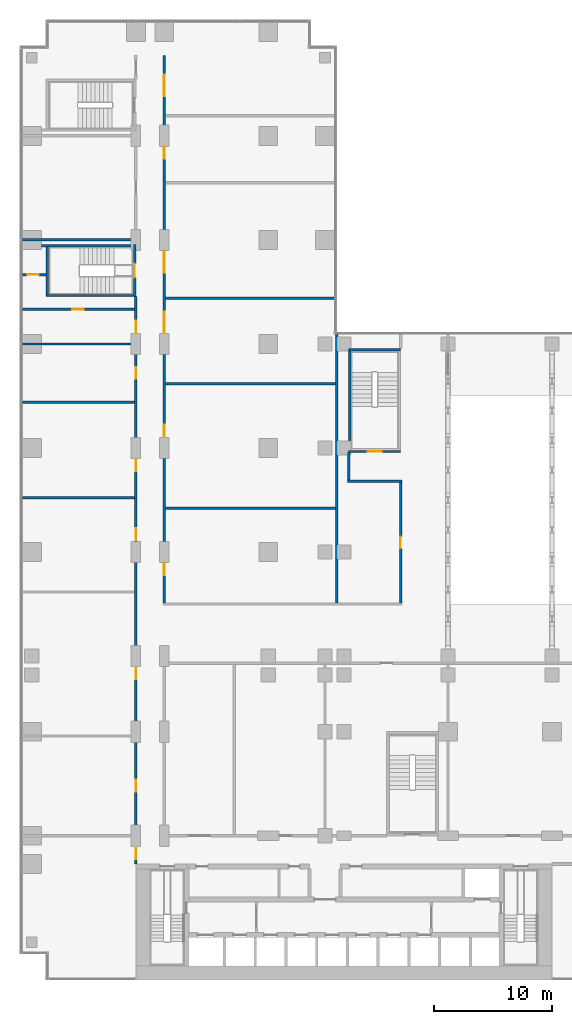
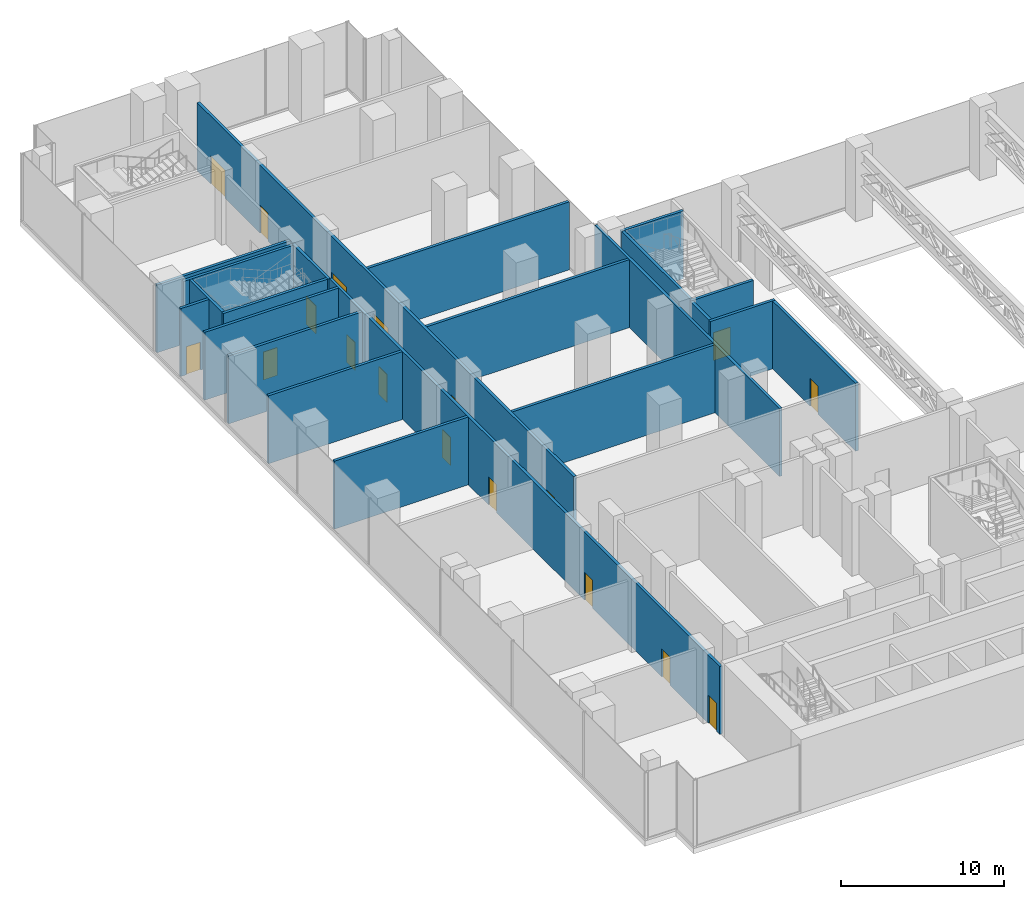
# One storey, part 20 of 30: 22 walls, 18 doors, 18 openings.
"""IFC4 building model written with IfcOpenShell, lengths in metres."""

from ifc_helpers import new_model, si_unit, direction, frame, frame_2d, origin, place, context, subcontext, project, spatial, rectangle, extrude, material, layer, layer_set, type_object, element, fill, save


model = new_model("IFC4")

# Units and contexts
model_context = context("Model", 3, precision=1e-05, world=origin(), true_north=direction((0.0, 1.0)))
body_context = subcontext(model_context, "Body", "Model", "MODEL_VIEW")
ifc_project = project(units=[si_unit("LENGTHUNIT", "METRE"), si_unit("AREAUNIT", "SQUARE_METRE"), si_unit("VOLUMEUNIT", "CUBIC_METRE"), si_unit("PLANEANGLEUNIT", "RADIAN"), si_unit("MASSUNIT", "GRAM", prefix="KILO")], contexts=[model_context])

# Site, building, storey
site_placement = place(None, origin())
site = spatial("IfcSite", under=ifc_project, at=site_placement, CompositionType="ELEMENT")
building_placement = place(site_placement, origin())
building = spatial("IfcBuilding", under=site, at=building_placement, Name="Kemantara Hotel Tower", CompositionType="ELEMENT")
storey_placement = place(building_placement, frame((0.0, 0.0, 23.5)))
storey = spatial("IfcBuildingStorey", under=building, at=storey_placement, Name="L04", CompositionType="ELEMENT", Elevation=23.5)

# Wall, opening, door
ifc_material_1 = material(Name="Concrete fc 40 MPa", Category="concrete")
ifc_layer_1 = layer(ifc_material_1, 0.199951171875)
ifc_layer_set_1 = layer_set([ifc_layer_1], Name="Concrete fc 40 MPa")
wall_type_1 = type_object("IfcWallType", Name="Concrete stair wall 200 mm", PredefinedType="SHEAR", material=ifc_layer_set_1)
wall_1_placement = place(storey_placement, frame((9.699951171875, 57.800048828125, 0.0), z_axis=(0.0, 0.0, 1.0), x_axis=(0.0, 1.0, 0.0)))
wall_1 = element("IfcWall", 1, at=wall_1_placement, inside=storey, type_object=wall_type_1, Name="Stair ST4 enclosure wall with door", PredefinedType="SHEAR", context=body_context, shape_type="SweptSolid", body=[
    extrude(rectangle(XDim=4.39990234375, YDim=0.199951171875, at=frame_2d((2.199951171875, 0.0))), origin(), (0.0, 0.0, 1.0), 5.10009765625),
])
opening_1_placement = place(wall_1_placement, frame((1.60009765625, 0.0, 0.0)))
opening_1 = element("IfcOpeningElement", 2, at=opening_1_placement, cuts=wall_1, Name="Opening ST4-C", PredefinedType="OPENING", context=body_context, shape_type="SweptSolid", body=[
    extrude(rectangle(XDim=1.199951171875, YDim=2.10009765625, at=frame_2d((0.60009765625, 1.050048828125))), frame((0.0, 0.10986328125, 0.0), z_axis=(0.0, -1.0, 0.0), x_axis=(1.0, 0.0, 0.0)), (0.0, 0.0, 1.0), 0.219970703125),
])
ifc_material_2 = material(Name="Steel fire door", Category="steel")
door_type_1 = type_object("IfcDoorType", Name="Fire door FD90 1200 x 2100", OperationType="NOTDEFINED", PredefinedType="DOOR", material=ifc_material_2)
door_1_placement = place(opening_1_placement, origin())
door_1 = element("IfcDoor", 3, at=door_1_placement, inside=storey, type_object=door_type_1, Name="Stair ST4 door", OperationType="SINGLE_SWING_RIGHT", OverallHeight=2.10009765625, OverallWidth=1.199951171875, PredefinedType="DOOR", context=body_context, shape_type="SweptSolid", body=[
    extrude(rectangle(XDim=1.199951171875, YDim=2.10009765625, at=frame_2d((0.60009765625, 1.050048828125))), frame((0.0, 0.02490234375, 0.0), z_axis=(0.0, -1.0, 0.0), x_axis=(1.0, 0.0, 0.0)), (0.0, 0.0, 1.0), 0.050048828125),
])
fill(opening_1, door_1)

# Walls
wall_2_placement = place(storey_placement, frame((1.800048828125, 62.10009765625, 0.0), z_axis=(0.0, 0.0, 1.0), x_axis=(1.0, 0.0, 0.0)))
element("IfcWall", 4, at=wall_2_placement, inside=storey, type_object=wall_type_1, Name="Stair ST4 enclosure wall N", PredefinedType="SHEAR", context=body_context, shape_type="SweptSolid", body=[
    extrude(rectangle(XDim=7.800048828125, YDim=0.199951171875, at=frame_2d((3.89990234375, 0.0))), origin(), (0.0, 0.0, 1.0), 5.10009765625),
])
wall_3_placement = place(storey_placement, frame((2.199951171875, 57.89990234375, 0.0), z_axis=(0.0, 0.0, 1.0), x_axis=(1.0, 0.0, 0.0)))
element("IfcWall", 5, at=wall_3_placement, inside=storey, type_object=wall_type_1, Name="Stair ST4 enclosure wall S", PredefinedType="SHEAR", context=body_context, shape_type="SweptSolid", body=[
    extrude(rectangle(XDim=7.400146484375, YDim=0.199951171875, at=frame_2d((3.7001953125, 0.0))), origin(), (0.0, 0.0, 1.0), 5.10009765625),
])
wall_4_placement = place(storey_placement, frame((2.300048828125, 58.0, 0.0), z_axis=(0.0, 0.0, 1.0), x_axis=(0.0, 1.0, 0.0)))
element("IfcWall", 6, at=wall_4_placement, inside=storey, type_object=wall_type_1, Name="Stair ST4 enclosure wall W", PredefinedType="SHEAR", context=body_context, shape_type="SweptSolid", body=[
    extrude(rectangle(XDim=4.0, YDim=0.199951171875, at=frame_2d((2.0, 0.0))), origin(), (0.0, 0.0, 1.0), 5.10009765625),
])

# Wall, opening, door
wall_5_placement = place(storey_placement, frame((27.800048828125, 44.699951171875, 0.0), z_axis=(0.0, 0.0, 1.0), x_axis=(1.0, 0.0, 0.0)))
wall_5 = element("IfcWall", 7, at=wall_5_placement, inside=storey, type_object=wall_type_1, Name="Stair PS2 enclosure wall with door", PredefinedType="SHEAR", context=body_context, shape_type="SweptSolid", body=[
    extrude(rectangle(XDim=4.39990234375, YDim=0.199951171875, at=frame_2d((2.199951171875, 0.0))), origin(), (0.0, 0.0, 1.0), 5.10009765625),
])
opening_2_placement = place(wall_5_placement, frame((1.60009765625, 0.0, 0.0)))
opening_2 = element("IfcOpeningElement", 8, at=opening_2_placement, cuts=wall_5, Name="Opening PS2-C", PredefinedType="OPENING", context=body_context, shape_type="SweptSolid", body=[
    extrude(rectangle(XDim=1.199951171875, YDim=2.10009765625, at=frame_2d((0.60009765625, 1.050048828125))), frame((0.0, 0.10986328125, 0.0), z_axis=(0.0, -1.0, 0.0), x_axis=(1.0, 0.0, 0.0)), (0.0, 0.0, 1.0), 0.219970703125),
])
door_2_placement = place(opening_2_placement, origin())
door_2 = element("IfcDoor", 9, at=door_2_placement, inside=storey, type_object=door_type_1, Name="Stair PS2 door", OperationType="SINGLE_SWING_LEFT", OverallHeight=2.10009765625, OverallWidth=1.199951171875, PredefinedType="DOOR", context=body_context, shape_type="SweptSolid", body=[
    extrude(rectangle(XDim=1.199951171875, YDim=2.10009765625, at=frame_2d((0.60009765625, 1.050048828125))), frame((0.0, 0.02490234375, 0.0), z_axis=(0.0, -1.0, 0.0), x_axis=(1.0, 0.0, 0.0)), (0.0, 0.0, 1.0), 0.050048828125),
])
fill(opening_2, door_2)

# Walls
wall_6_placement = place(storey_placement, frame((27.800048828125, 53.300048828125, 0.0), z_axis=(0.0, 0.0, 1.0), x_axis=(1.0, 0.0, 0.0)))
element("IfcWall", 10, at=wall_6_placement, inside=storey, type_object=wall_type_1, Name="Stair PS2 enclosure wall N", PredefinedType="SHEAR", context=body_context, shape_type="SweptSolid", body=[
    extrude(rectangle(XDim=4.39990234375, YDim=0.199951171875, at=frame_2d((2.199951171875, 0.0))), origin(), (0.0, 0.0, 1.0), 5.10009765625),
])
wall_7_placement = place(storey_placement, frame((27.89990234375, 44.800048828125, 0.0), z_axis=(0.0, 0.0, 1.0), x_axis=(0.0, 1.0, 0.0)))
element("IfcWall", 11, at=wall_7_placement, inside=storey, type_object=wall_type_1, Name="Stair PS2 enclosure wall W", PredefinedType="SHEAR", context=body_context, shape_type="SweptSolid", body=[
    extrude(rectangle(XDim=8.39990234375, YDim=0.199951171875, at=frame_2d((4.199951171875, 0.0))), origin(), (0.0, 0.0, 1.0), 5.10009765625),
])

# Wall, openings, doors
ifc_material_3 = material(Name="Fire-rated gypsum board partition")
ifc_layer_2 = layer(ifc_material_3, 0.199951171875)
ifc_layer_set_2 = layer_set([ifc_layer_2], Name="Fire-rated gypsum board partition")
wall_type_2 = type_object("IfcWallType", Name="FIRE-RATED GYPSUM PARTITION 200 EI 60", PredefinedType="PARTITIONING", material=ifc_layer_set_2)
wall_8_placement = place(storey_placement, frame((9.800048828125, 9.800048828125, 0.0), z_axis=(0.0, 0.0, 1.0), x_axis=(0.0, 1.0, 0.0)))
wall_8 = element("IfcWall", 12, at=wall_8_placement, inside=storey, type_object=wall_type_2, Name="FIRE-RATED PARTITION", PredefinedType="PARTITIONING", context=body_context, shape_type="SweptSolid", body=[
    extrude(rectangle(XDim=48.0, YDim=0.199951171875, at=frame_2d((24.0, 0.0))), origin(), (0.0, 0.0, 1.0), 5.10009765625),
])
opening_3_placement = place(wall_8_placement, frame((6.1201171875, 0.0, 0.0)))
opening_3 = element("IfcOpeningElement", 13, at=opening_3_placement, cuts=wall_8, Name="Opening L04-B007", PredefinedType="OPENING", context=body_context, shape_type="SweptSolid", body=[
    extrude(rectangle(XDim=1.0, YDim=2.10009765625, at=frame_2d((0.5, 1.050048828125))), frame((0.0, 0.10986328125, 0.0), z_axis=(0.0, -1.0, 0.0), x_axis=(1.0, 0.0, 0.0)), (0.0, 0.0, 1.0), 0.219970703125),
])
opening_4_placement = place(wall_8_placement, frame((15.6298828125, 0.0, 0.0)))
opening_4 = element("IfcOpeningElement", 14, at=opening_4_placement, cuts=wall_8, Name="Opening L04-B008", PredefinedType="OPENING", context=body_context, shape_type="SweptSolid", body=[
    extrude(rectangle(XDim=1.0, YDim=2.10009765625, at=frame_2d((0.5, 1.050048828125))), frame((0.0, 0.10986328125, 0.0), z_axis=(0.0, -1.0, 0.0), x_axis=(1.0, 0.0, 0.0)), (0.0, 0.0, 1.0), 0.219970703125),
])
opening_5_placement = place(wall_8_placement, frame((27.405029296875, 0.0, 0.0)))
opening_5 = element("IfcOpeningElement", 15, at=opening_5_placement, cuts=wall_8, Name="Opening L04-B009", PredefinedType="OPENING", context=body_context, shape_type="SweptSolid", body=[
    extrude(rectangle(XDim=1.0, YDim=2.10009765625, at=frame_2d((0.5, 1.050048828125))), frame((0.0, 0.10986328125, 0.0), z_axis=(0.0, -1.0, 0.0), x_axis=(1.0, 0.0, 0.0)), (0.0, 0.0, 1.0), 0.219970703125),
])
opening_6_placement = place(wall_8_placement, frame((33.235107421875, 0.0, 0.0)))
opening_6 = element("IfcOpeningElement", 16, at=opening_6_placement, cuts=wall_8, Name="Opening L04-B010", PredefinedType="OPENING", context=body_context, shape_type="SweptSolid", body=[
    extrude(rectangle(XDim=1.0, YDim=2.10009765625, at=frame_2d((0.5, 1.050048828125))), frame((0.0, 0.10986328125, 0.0), z_axis=(0.0, -1.0, 0.0), x_axis=(1.0, 0.0, 0.0)), (0.0, 0.0, 1.0), 0.219970703125),
])
opening_7_placement = place(wall_8_placement, frame((41.0400390625, 0.0, 0.0)))
opening_7 = element("IfcOpeningElement", 17, at=opening_7_placement, cuts=wall_8, Name="Opening L04-B011", PredefinedType="OPENING", context=body_context, shape_type="SweptSolid", body=[
    extrude(rectangle(XDim=1.0, YDim=2.10009765625, at=frame_2d((0.5, 1.050048828125))), frame((0.0, 0.10986328125, 0.0), z_axis=(0.0, -1.0, 0.0), x_axis=(1.0, 0.0, 0.0)), (0.0, 0.0, 1.0), 0.219970703125),
])
opening_8_placement = place(wall_8_placement, frame((44.966796875, 0.0, 0.0)))
opening_8 = element("IfcOpeningElement", 18, at=opening_8_placement, cuts=wall_8, Name="Opening L04-B012", PredefinedType="OPENING", context=body_context, shape_type="SweptSolid", body=[
    extrude(rectangle(XDim=1.0, YDim=2.10009765625, at=frame_2d((0.5, 1.050048828125))), frame((0.0, 0.10986328125, 0.0), z_axis=(0.0, -1.0, 0.0), x_axis=(1.0, 0.0, 0.0)), (0.0, 0.0, 1.0), 0.219970703125),
])
opening_9_placement = place(wall_8_placement, frame((0.39990234375, 0.0, 0.0)))
opening_9 = element("IfcOpeningElement", 19, at=opening_9_placement, cuts=wall_8, Name="Opening L04-B021", PredefinedType="OPENING", context=body_context, shape_type="SweptSolid", body=[
    extrude(rectangle(XDim=1.0, YDim=2.10009765625, at=frame_2d((0.5, 1.050048828125))), frame((0.0, 0.10986328125, 0.0), z_axis=(0.0, -1.0, 0.0), x_axis=(1.0, 0.0, 0.0)), (0.0, 0.0, 1.0), 0.219970703125),
])
ifc_material_4 = material(Name="Galvanised steel door leaf", Category="steel")
door_type_2 = type_object("IfcDoorType", Name="FIRE-RATED STEEL DOOR 1000 X 2100", OperationType="SINGLE_SWING_LEFT", PredefinedType="DOOR", material=ifc_material_4)
door_3_placement = place(opening_9_placement, frame((1.0, 0.0, 0.0), z_axis=(0.0, 0.0, 1.0), x_axis=(-1.0, 0.0, 0.0)))
door_3 = element("IfcDoor", 20, at=door_3_placement, inside=storey, type_object=door_type_2, Name="FIRE-RATED STEEL DOOR", OperationType="SINGLE_SWING_RIGHT", OverallHeight=2.10009765625, OverallWidth=1.0, PredefinedType="DOOR", context=body_context, shape_type="SweptSolid", body=[
    extrude(rectangle(XDim=1.0, YDim=2.10009765625, at=frame_2d((0.5, 1.050048828125))), frame((0.0, 0.02490234375, 0.0), z_axis=(0.0, -1.0, 0.0), x_axis=(1.0, 0.0, 0.0)), (0.0, 0.0, 1.0), 0.050048828125),
])
fill(opening_9, door_3)
ifc_material_5 = material(Name="Timber veneer door leaf", Category="wood")
door_type_3 = type_object("IfcDoorType", Name="SINGLE LEAF TIMBER DOOR 1000 X 2100", OperationType="SINGLE_SWING_LEFT", PredefinedType="DOOR", material=ifc_material_5)
door_4_placement = place(opening_3_placement, origin())
door_4 = element("IfcDoor", 21, at=door_4_placement, inside=storey, type_object=door_type_3, Name="SINGLE LEAF TIMBER DOOR", OperationType="SINGLE_SWING_LEFT", OverallHeight=2.10009765625, OverallWidth=1.0, PredefinedType="DOOR", context=body_context, shape_type="SweptSolid", body=[
    extrude(rectangle(XDim=1.0, YDim=2.10009765625, at=frame_2d((0.5, 1.050048828125))), frame((0.0, 0.02490234375, 0.0), z_axis=(0.0, -1.0, 0.0), x_axis=(1.0, 0.0, 0.0)), (0.0, 0.0, 1.0), 0.050048828125),
])
fill(opening_3, door_4)
door_5_placement = place(opening_4_placement, origin())
door_5 = element("IfcDoor", 22, at=door_5_placement, inside=storey, type_object=door_type_3, Name="SINGLE LEAF TIMBER DOOR", OperationType="SINGLE_SWING_LEFT", OverallHeight=2.10009765625, OverallWidth=1.0, PredefinedType="DOOR", context=body_context, shape_type="SweptSolid", body=[
    extrude(rectangle(XDim=1.0, YDim=2.10009765625, at=frame_2d((0.5, 1.050048828125))), frame((0.0, 0.02490234375, 0.0), z_axis=(0.0, -1.0, 0.0), x_axis=(1.0, 0.0, 0.0)), (0.0, 0.0, 1.0), 0.050048828125),
])
fill(opening_4, door_5)
door_6_placement = place(opening_5_placement, origin())
door_6 = element("IfcDoor", 23, at=door_6_placement, inside=storey, type_object=door_type_3, Name="SINGLE LEAF TIMBER DOOR", OperationType="SINGLE_SWING_RIGHT", OverallHeight=2.10009765625, OverallWidth=1.0, PredefinedType="DOOR", context=body_context, shape_type="SweptSolid", body=[
    extrude(rectangle(XDim=1.0, YDim=2.10009765625, at=frame_2d((0.5, 1.050048828125))), frame((0.0, 0.02490234375, 0.0), z_axis=(0.0, -1.0, 0.0), x_axis=(1.0, 0.0, 0.0)), (0.0, 0.0, 1.0), 0.050048828125),
])
fill(opening_5, door_6)
door_7_placement = place(opening_6_placement, origin())
door_7 = element("IfcDoor", 24, at=door_7_placement, inside=storey, type_object=door_type_3, Name="SINGLE LEAF TIMBER DOOR", OperationType="SINGLE_SWING_RIGHT", OverallHeight=2.10009765625, OverallWidth=1.0, PredefinedType="DOOR", context=body_context, shape_type="SweptSolid", body=[
    extrude(rectangle(XDim=1.0, YDim=2.10009765625, at=frame_2d((0.5, 1.050048828125))), frame((0.0, 0.02490234375, 0.0), z_axis=(0.0, -1.0, 0.0), x_axis=(1.0, 0.0, 0.0)), (0.0, 0.0, 1.0), 0.050048828125),
])
fill(opening_6, door_7)
door_8_placement = place(opening_7_placement, origin())
door_8 = element("IfcDoor", 25, at=door_8_placement, inside=storey, type_object=door_type_3, Name="SINGLE LEAF TIMBER DOOR", OperationType="SINGLE_SWING_RIGHT", OverallHeight=2.10009765625, OverallWidth=1.0, PredefinedType="DOOR", context=body_context, shape_type="SweptSolid", body=[
    extrude(rectangle(XDim=1.0, YDim=2.10009765625, at=frame_2d((0.5, 1.050048828125))), frame((0.0, 0.02490234375, 0.0), z_axis=(0.0, -1.0, 0.0), x_axis=(1.0, 0.0, 0.0)), (0.0, 0.0, 1.0), 0.050048828125),
])
fill(opening_7, door_8)
door_9_placement = place(opening_8_placement, origin())
door_9 = element("IfcDoor", 26, at=door_9_placement, inside=storey, type_object=door_type_3, Name="SINGLE LEAF TIMBER DOOR", OperationType="SINGLE_SWING_RIGHT", OverallHeight=2.10009765625, OverallWidth=1.0, PredefinedType="DOOR", context=body_context, shape_type="SweptSolid", body=[
    extrude(rectangle(XDim=1.0, YDim=2.10009765625, at=frame_2d((0.5, 1.050048828125))), frame((0.0, 0.02490234375, 0.0), z_axis=(0.0, -1.0, 0.0), x_axis=(1.0, 0.0, 0.0)), (0.0, 0.0, 1.0), 0.050048828125),
])
fill(opening_8, door_9)

wall_9_placement = place(storey_placement, frame((12.199951171875, 31.89990234375, 0.0), z_axis=(0.0, 0.0, 1.0), x_axis=(0.0, 1.0, 0.0)))
wall_9 = element("IfcWall", 27, at=wall_9_placement, inside=storey, type_object=wall_type_2, Name="FIRE-RATED PARTITION", PredefinedType="PARTITIONING", context=body_context, shape_type="SweptSolid", body=[
    extrude(rectangle(XDim=46.300048828125, YDim=0.199951171875, at=frame_2d((23.14990234375, 0.0))), origin(), (0.0, 0.0, 1.0), 5.10009765625),
])
opening_10_placement = place(wall_9_placement, frame((2.35009765625, 0.0, 0.0)))
opening_10 = element("IfcOpeningElement", 28, at=opening_10_placement, cuts=wall_9, Name="Opening L04-B015", PredefinedType="OPENING", context=body_context, shape_type="SweptSolid", body=[
    extrude(rectangle(XDim=1.0, YDim=2.10009765625, at=frame_2d((0.5, 1.050048828125))), frame((0.0, 0.10986328125, 0.0), z_axis=(0.0, -1.0, 0.0), x_axis=(1.0, 0.0, 0.0)), (0.0, 0.0, 1.0), 0.219970703125),
])
opening_11_placement = place(wall_9_placement, frame((14.06494140625, 0.0, 0.0)))
opening_11 = element("IfcOpeningElement", 29, at=opening_11_placement, cuts=wall_9, Name="Opening L04-B016", PredefinedType="OPENING", context=body_context, shape_type="SweptSolid", body=[
    extrude(rectangle(XDim=1.0, YDim=2.10009765625, at=frame_2d((0.5, 1.050048828125))), frame((0.0, 0.10986328125, 0.0), z_axis=(0.0, -1.0, 0.0), x_axis=(1.0, 0.0, 0.0)), (0.0, 0.0, 1.0), 0.219970703125),
])
opening_12_placement = place(wall_9_placement, frame((22.840087890625, 0.0, 0.0)))
opening_12 = element("IfcOpeningElement", 30, at=opening_12_placement, cuts=wall_9, Name="Opening L04-B017", PredefinedType="OPENING", context=body_context, shape_type="SweptSolid", body=[
    extrude(rectangle(XDim=1.800048828125, YDim=2.39990234375, at=frame_2d((0.89990234375, 1.199951171875))), frame((0.0, 0.10986328125, 0.0), z_axis=(0.0, -1.0, 0.0), x_axis=(1.0, 0.0, 0.0)), (0.0, 0.0, 1.0), 0.219970703125),
])
opening_13_placement = place(wall_9_placement, frame((27.93994140625, 0.0, 0.0)))
opening_13 = element("IfcOpeningElement", 31, at=opening_13_placement, cuts=wall_9, Name="Opening L04-B018", PredefinedType="OPENING", context=body_context, shape_type="SweptSolid", body=[
    extrude(rectangle(XDim=1.800048828125, YDim=2.39990234375, at=frame_2d((0.89990234375, 1.199951171875))), frame((0.0, 0.10986328125, 0.0), z_axis=(0.0, -1.0, 0.0), x_axis=(1.0, 0.0, 0.0)), (0.0, 0.0, 1.0), 0.219970703125),
])
opening_14_placement = place(wall_9_placement, frame((37.56494140625, 0.0, 0.0)))
opening_14 = element("IfcOpeningElement", 32, at=opening_14_placement, cuts=wall_9, Name="Opening L04-B019", PredefinedType="OPENING", context=body_context, shape_type="SweptSolid", body=[
    extrude(rectangle(XDim=1.0, YDim=2.10009765625, at=frame_2d((0.5, 1.050048828125))), frame((0.0, 0.10986328125, 0.0), z_axis=(0.0, -1.0, 0.0), x_axis=(1.0, 0.0, 0.0)), (0.0, 0.0, 1.0), 0.219970703125),
])
opening_15_placement = place(wall_9_placement, frame((42.85009765625, 0.0, 0.0)))
opening_15 = element("IfcOpeningElement", 33, at=opening_15_placement, cuts=wall_9, Name="Opening L04-B020", PredefinedType="OPENING", context=body_context, shape_type="SweptSolid", body=[
    extrude(rectangle(XDim=1.800048828125, YDim=2.10009765625, at=frame_2d((0.89990234375, 1.050048828125))), frame((0.0, 0.10986328125, 0.0), z_axis=(0.0, -1.0, 0.0), x_axis=(1.0, 0.0, 0.0)), (0.0, 0.0, 1.0), 0.219970703125),
])
door_type_4 = type_object("IfcDoorType", Name="DOUBLE LEAF TIMBER DOOR 1800 X 2100", OperationType="DOUBLE_DOOR_SINGLE_SWING", PredefinedType="DOOR", material=ifc_material_5)
door_10_placement = place(opening_15_placement, origin())
door_10 = element("IfcDoor", 34, at=door_10_placement, inside=storey, type_object=door_type_4, Name="DOUBLE LEAF TIMBER DOOR", OperationType="DOUBLE_DOOR_SINGLE_SWING", OverallHeight=2.10009765625, OverallWidth=1.800048828125, PredefinedType="DOOR", context=body_context, shape_type="SweptSolid", body=[
    extrude(rectangle(XDim=1.800048828125, YDim=2.10009765625, at=frame_2d((0.89990234375, 1.050048828125))), frame((0.0, 0.02490234375, 0.0), z_axis=(0.0, -1.0, 0.0), x_axis=(1.0, 0.0, 0.0)), (0.0, 0.0, 1.0), 0.050048828125),
])
fill(opening_15, door_10)
ifc_material_6 = material(Name="Toughened glass door leaf", Category="glass")
door_type_5 = type_object("IfcDoorType", Name="GLAZED DOUBLE DOOR 1800 X 2400", OperationType="DOUBLE_DOOR_SINGLE_SWING", PredefinedType="DOOR", material=ifc_material_6)
door_11_placement = place(opening_12_placement, origin())
door_11 = element("IfcDoor", 35, at=door_11_placement, inside=storey, type_object=door_type_5, Name="GLAZED DOUBLE DOOR", OperationType="DOUBLE_DOOR_SINGLE_SWING", OverallHeight=2.39990234375, OverallWidth=1.800048828125, PredefinedType="DOOR", context=body_context, shape_type="SweptSolid", body=[
    extrude(rectangle(XDim=1.800048828125, YDim=2.39990234375, at=frame_2d((0.89990234375, 1.199951171875))), frame((0.0, 0.02490234375, 0.0), z_axis=(0.0, -1.0, 0.0), x_axis=(1.0, 0.0, 0.0)), (0.0, 0.0, 1.0), 0.050048828125),
])
fill(opening_12, door_11)
door_12_placement = place(opening_13_placement, origin())
door_12 = element("IfcDoor", 36, at=door_12_placement, inside=storey, type_object=door_type_5, Name="GLAZED DOUBLE DOOR", OperationType="DOUBLE_DOOR_SINGLE_SWING", OverallHeight=2.39990234375, OverallWidth=1.800048828125, PredefinedType="DOOR", context=body_context, shape_type="SweptSolid", body=[
    extrude(rectangle(XDim=1.800048828125, YDim=2.39990234375, at=frame_2d((0.89990234375, 1.199951171875))), frame((0.0, 0.02490234375, 0.0), z_axis=(0.0, -1.0, 0.0), x_axis=(1.0, 0.0, 0.0)), (0.0, 0.0, 1.0), 0.050048828125),
])
fill(opening_13, door_12)
door_13_placement = place(opening_10_placement, frame((1.0, 0.0, 0.0), z_axis=(0.0, 0.0, 1.0), x_axis=(-1.0, 0.0, 0.0)))
door_13 = element("IfcDoor", 37, at=door_13_placement, inside=storey, type_object=door_type_3, Name="SINGLE LEAF TIMBER DOOR", OperationType="SINGLE_SWING_RIGHT", OverallHeight=2.10009765625, OverallWidth=1.0, PredefinedType="DOOR", context=body_context, shape_type="SweptSolid", body=[
    extrude(rectangle(XDim=1.0, YDim=2.10009765625, at=frame_2d((0.5, 1.050048828125))), frame((0.0, 0.02490234375, 0.0), z_axis=(0.0, -1.0, 0.0), x_axis=(1.0, 0.0, 0.0)), (0.0, 0.0, 1.0), 0.050048828125),
])
fill(opening_10, door_13)
door_14_placement = place(opening_11_placement, frame((1.0, 0.0, 0.0), z_axis=(0.0, 0.0, 1.0), x_axis=(-1.0, 0.0, 0.0)))
door_14 = element("IfcDoor", 38, at=door_14_placement, inside=storey, type_object=door_type_3, Name="SINGLE LEAF TIMBER DOOR", OperationType="SINGLE_SWING_RIGHT", OverallHeight=2.10009765625, OverallWidth=1.0, PredefinedType="DOOR", context=body_context, shape_type="SweptSolid", body=[
    extrude(rectangle(XDim=1.0, YDim=2.10009765625, at=frame_2d((0.5, 1.050048828125))), frame((0.0, 0.02490234375, 0.0), z_axis=(0.0, -1.0, 0.0), x_axis=(1.0, 0.0, 0.0)), (0.0, 0.0, 1.0), 0.050048828125),
])
fill(opening_11, door_14)
door_15_placement = place(opening_14_placement, frame((1.0, 0.0, 0.0), z_axis=(0.0, 0.0, 1.0), x_axis=(-1.0, 0.0, 0.0)))
door_15 = element("IfcDoor", 39, at=door_15_placement, inside=storey, type_object=door_type_3, Name="SINGLE LEAF TIMBER DOOR", OperationType="SINGLE_SWING_LEFT", OverallHeight=2.10009765625, OverallWidth=1.0, PredefinedType="DOOR", context=body_context, shape_type="SweptSolid", body=[
    extrude(rectangle(XDim=1.0, YDim=2.10009765625, at=frame_2d((0.5, 1.050048828125))), frame((0.0, 0.02490234375, 0.0), z_axis=(0.0, -1.0, 0.0), x_axis=(1.0, 0.0, 0.0)), (0.0, 0.0, 1.0), 0.050048828125),
])
fill(opening_14, door_15)

# Walls
ifc_material_7 = material(Name="Gypsum board partition")
ifc_layer_3 = layer(ifc_material_7, 0.199951171875)
ifc_layer_set_3 = layer_set([ifc_layer_3], Name="Gypsum board partition")
wall_type_3 = type_object("IfcWallType", Name="GYPSUM BOARD PARTITION 200", PredefinedType="PARTITIONING", material=ifc_layer_set_3)
wall_10_placement = place(storey_placement, frame((27.699951171875, 42.199951171875, 0.0), z_axis=(0.0, 0.0, 1.0), x_axis=(1.0, 0.0, 0.0)))
element("IfcWall", 40, at=wall_10_placement, inside=storey, type_object=wall_type_3, Name="PARTITION", PredefinedType="PARTITIONING", context=body_context, shape_type="SweptSolid", body=[
    extrude(rectangle(XDim=4.60009765625, YDim=0.199951171875, at=frame_2d((2.300048828125, 0.0))), origin(), (0.0, 0.0, 1.0), 5.10009765625),
])
for number, where, z_axis, x_axis, name in (
    (41, (0.199951171875, 40.7900390625, 0.0), (0.0, 0.0, 1.0), (1.0, 0.0, 0.0), "PARTITION"),
    (42, (0.199951171875, 48.8798828125, 0.0), (0.0, 0.0, 1.0), (1.0, 0.0, 0.0), "PARTITION"),
    (43, (0.199951171875, 53.800048828125, 0.0), (0.0, 0.0, 1.0), (1.0, 0.0, 0.0), "PARTITION"),
):
    element("IfcWall", number, at=place(storey_placement, frame(where, z_axis=z_axis, x_axis=x_axis)), inside=storey, type_object=wall_type_3, Name=name, PredefinedType="PARTITIONING", context=body_context, shape_type="SweptSolid", body=[
        extrude(rectangle(XDim=9.5, YDim=0.199951171875, at=frame_2d((4.75, 0.0))), origin(), (0.0, 0.0, 1.0), 5.10009765625),
    ])

# Wall, opening, door
wall_11_placement = place(storey_placement, frame((0.199951171875, 56.73291015625, 0.0), z_axis=(0.0, 0.0, 1.0), x_axis=(1.0, 0.0, 0.0)))
wall_11 = element("IfcWall", 44, at=wall_11_placement, inside=storey, type_object=wall_type_3, Name="PARTITION", PredefinedType="PARTITIONING", context=body_context, shape_type="SweptSolid", body=[
    extrude(rectangle(XDim=9.5, YDim=0.199951171875, at=frame_2d((4.75, 0.0))), origin(), (0.0, 0.0, 1.0), 5.10009765625),
])
opening_16_placement = place(wall_11_placement, frame((4.199951171875, 0.0, 0.0)))
opening_16 = element("IfcOpeningElement", 45, at=opening_16_placement, cuts=wall_11, Name="Opening L04-B001", PredefinedType="OPENING", context=body_context, shape_type="SweptSolid", body=[
    extrude(rectangle(XDim=1.0, YDim=2.10009765625, at=frame_2d((0.5, 1.050048828125))), frame((0.0, 0.10986328125, 0.0), z_axis=(0.0, -1.0, 0.0), x_axis=(1.0, 0.0, 0.0)), (0.0, 0.0, 1.0), 0.219970703125),
])
door_16_placement = place(opening_16_placement, origin())
door_16 = element("IfcDoor", 46, at=door_16_placement, inside=storey, type_object=door_type_3, Name="SINGLE LEAF TIMBER DOOR", OperationType="SINGLE_SWING_LEFT", OverallHeight=2.10009765625, OverallWidth=1.0, PredefinedType="DOOR", context=body_context, shape_type="SweptSolid", body=[
    extrude(rectangle(XDim=1.0, YDim=2.10009765625, at=frame_2d((0.5, 1.050048828125))), frame((0.0, 0.02490234375, 0.0), z_axis=(0.0, -1.0, 0.0), x_axis=(1.0, 0.0, 0.0)), (0.0, 0.0, 1.0), 0.050048828125),
])
fill(opening_16, door_16)

wall_12_placement = place(storey_placement, frame((0.199951171875, 59.6669921875, 0.0), z_axis=(0.0, 0.0, 1.0), x_axis=(1.0, 0.0, 0.0)))
wall_12 = element("IfcWall", 47, at=wall_12_placement, inside=storey, type_object=wall_type_3, Name="PARTITION", PredefinedType="PARTITIONING", context=body_context, shape_type="SweptSolid", body=[
    extrude(rectangle(XDim=2.0, YDim=0.199951171875, at=frame_2d((1.0, 0.0))), origin(), (0.0, 0.0, 1.0), 5.10009765625),
])
opening_17_placement = place(wall_12_placement, frame((0.39990234375, 0.0, 0.0)))
opening_17 = element("IfcOpeningElement", 48, at=opening_17_placement, cuts=wall_12, Name="Opening L04-B002", PredefinedType="OPENING", context=body_context, shape_type="SweptSolid", body=[
    extrude(rectangle(XDim=1.0, YDim=2.10009765625, at=frame_2d((0.5, 1.050048828125))), frame((0.0, 0.10986328125, 0.0), z_axis=(0.0, -1.0, 0.0), x_axis=(1.0, 0.0, 0.0)), (0.0, 0.0, 1.0), 0.219970703125),
])
door_17_placement = place(opening_17_placement, origin())
door_17 = element("IfcDoor", 49, at=door_17_placement, inside=storey, type_object=door_type_3, Name="SINGLE LEAF TIMBER DOOR", OperationType="SINGLE_SWING_LEFT", OverallHeight=2.10009765625, OverallWidth=1.0, PredefinedType="DOOR", context=body_context, shape_type="SweptSolid", body=[
    extrude(rectangle(XDim=1.0, YDim=2.10009765625, at=frame_2d((0.5, 1.050048828125))), frame((0.0, 0.02490234375, 0.0), z_axis=(0.0, -1.0, 0.0), x_axis=(1.0, 0.0, 0.0)), (0.0, 0.0, 1.0), 0.050048828125),
])
fill(opening_17, door_17)

# Walls
wall_13_placement = place(storey_placement, frame((0.199951171875, 62.60009765625, 0.0), z_axis=(0.0, 0.0, 1.0), x_axis=(1.0, 0.0, 0.0)))
element("IfcWall", 50, at=wall_13_placement, inside=storey, type_object=wall_type_3, Name="PARTITION", PredefinedType="PARTITIONING", context=body_context, shape_type="SweptSolid", body=[
    extrude(rectangle(XDim=9.5, YDim=0.199951171875, at=frame_2d((4.75, 0.0))), origin(), (0.0, 0.0, 1.0), 5.10009765625),
])
for number, where, z_axis, x_axis, name in (
    (51, (12.300048828125, 39.89990234375, 0.0), (0.0, 0.0, 1.0), (1.0, 0.0, 0.0), "PARTITION"),
    (52, (12.300048828125, 50.429931640625, 0.0), (0.0, 0.0, 1.0), (1.0, 0.0, 0.0), "PARTITION"),
):
    element("IfcWall", number, at=place(storey_placement, frame(where, z_axis=z_axis, x_axis=x_axis)), inside=storey, type_object=wall_type_3, Name=name, PredefinedType="PARTITIONING", context=body_context, shape_type="SweptSolid", body=[
        extrude(rectangle(XDim=14.39990234375, YDim=0.199951171875, at=frame_2d((7.199951171875, 0.0))), origin(), (0.0, 0.0, 1.0), 5.10009765625),
    ])
wall_14_placement = place(storey_placement, frame((12.300048828125, 57.64990234375, 0.0), z_axis=(0.0, 0.0, 1.0), x_axis=(1.0, 0.0, 0.0)))
element("IfcWall", 53, at=wall_14_placement, inside=storey, type_object=wall_type_3, Name="PARTITION", PredefinedType="PARTITIONING", context=body_context, shape_type="SweptSolid", body=[
    extrude(rectangle(XDim=14.300048828125, YDim=0.199951171875, at=frame_2d((7.14990234375, 0.0))), origin(), (0.0, 0.0, 1.0), 5.10009765625),
])

# Wall, opening, door
wall_15_placement = place(storey_placement, frame((32.199951171875, 31.89990234375, 0.0), z_axis=(0.0, 0.0, 1.0), x_axis=(0.0, 1.0, 0.0)))
wall_15 = element("IfcWall", 54, at=wall_15_placement, inside=storey, type_object=wall_type_3, Name="PARTITION", PredefinedType="PARTITIONING", context=body_context, shape_type="SweptSolid", body=[
    extrude(rectangle(XDim=10.2001953125, YDim=0.199951171875, at=frame_2d((5.10009765625, 0.0))), origin(), (0.0, 0.0, 1.0), 5.10009765625),
])
opening_18_placement = place(wall_15_placement, frame((4.60009765625, 0.0, 0.0)))
opening_18 = element("IfcOpeningElement", 55, at=opening_18_placement, cuts=wall_15, Name="Opening L04-B030", PredefinedType="OPENING", context=body_context, shape_type="SweptSolid", body=[
    extrude(rectangle(XDim=1.0, YDim=2.10009765625, at=frame_2d((0.5, 1.050048828125))), frame((0.0, 0.10986328125, 0.0), z_axis=(0.0, -1.0, 0.0), x_axis=(1.0, 0.0, 0.0)), (0.0, 0.0, 1.0), 0.219970703125),
])
door_18_placement = place(opening_18_placement, origin())
door_18 = element("IfcDoor", 56, at=door_18_placement, inside=storey, type_object=door_type_3, Name="SINGLE LEAF TIMBER DOOR", OperationType="SINGLE_SWING_RIGHT", OverallHeight=2.10009765625, OverallWidth=1.0, PredefinedType="DOOR", context=body_context, shape_type="SweptSolid", body=[
    extrude(rectangle(XDim=1.0, YDim=2.10009765625, at=frame_2d((0.5, 1.050048828125))), frame((0.0, 0.02490234375, 0.0), z_axis=(0.0, -1.0, 0.0), x_axis=(1.0, 0.0, 0.0)), (0.0, 0.0, 1.0), 0.050048828125),
])
fill(opening_18, door_18)

# Walls
wall_16_placement = place(storey_placement, frame((27.800048828125, 42.300048828125, 0.0), z_axis=(0.0, 0.0, 1.0), x_axis=(0.0, 1.0, 0.0)))
element("IfcWall", 57, at=wall_16_placement, inside=storey, type_object=wall_type_3, Name="PARTITION", PredefinedType="PARTITIONING", context=body_context, shape_type="SweptSolid", body=[
    extrude(rectangle(XDim=2.300048828125, YDim=0.199951171875, at=frame_2d((1.14990234375, 0.0))), origin(), (0.0, 0.0, 1.0), 5.10009765625),
])
wall_17_placement = place(storey_placement, frame((26.800048828125, 31.89990234375, 0.0), z_axis=(0.0, 0.0, 1.0), x_axis=(0.0, 1.0, 0.0)))
element("IfcWall", 58, at=wall_17_placement, inside=storey, type_object=wall_type_3, Name="PARTITION", PredefinedType="PARTITIONING", context=body_context, shape_type="SweptSolid", body=[
    extrude(rectangle(XDim=22.7001953125, YDim=0.199951171875, at=frame_2d((11.35009765625, 0.0))), origin(), (0.0, 0.0, 1.0), 5.10009765625),
])

save(model, "model.ifc")
